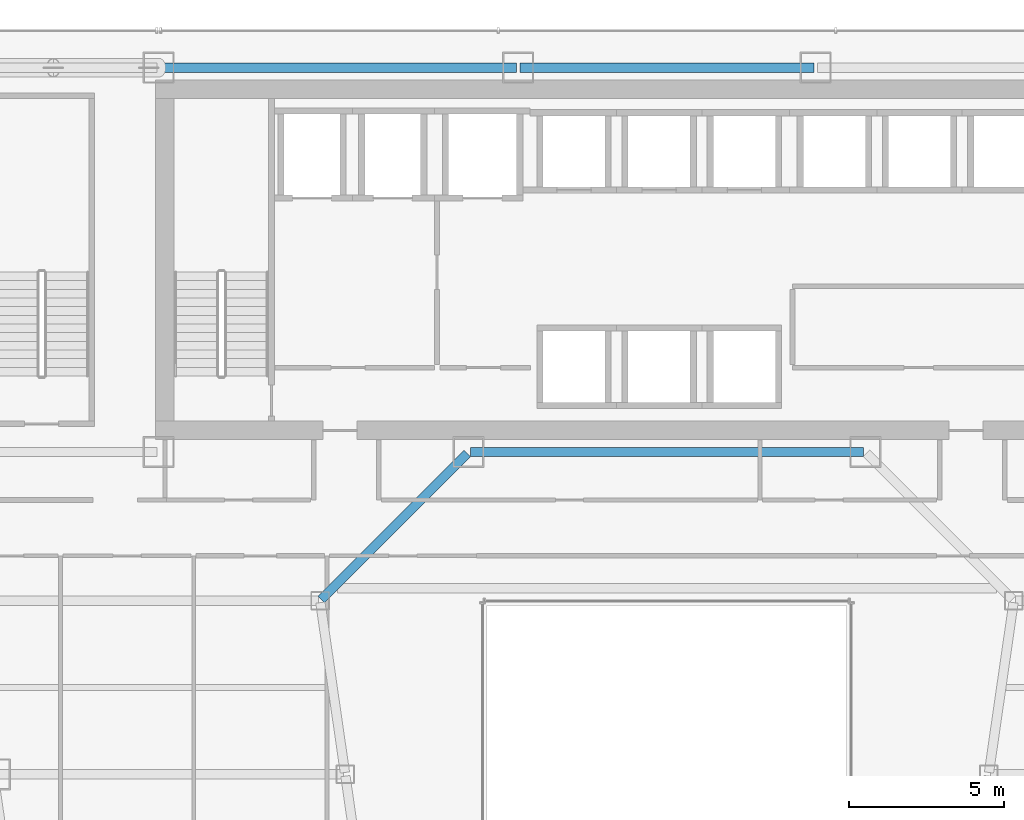
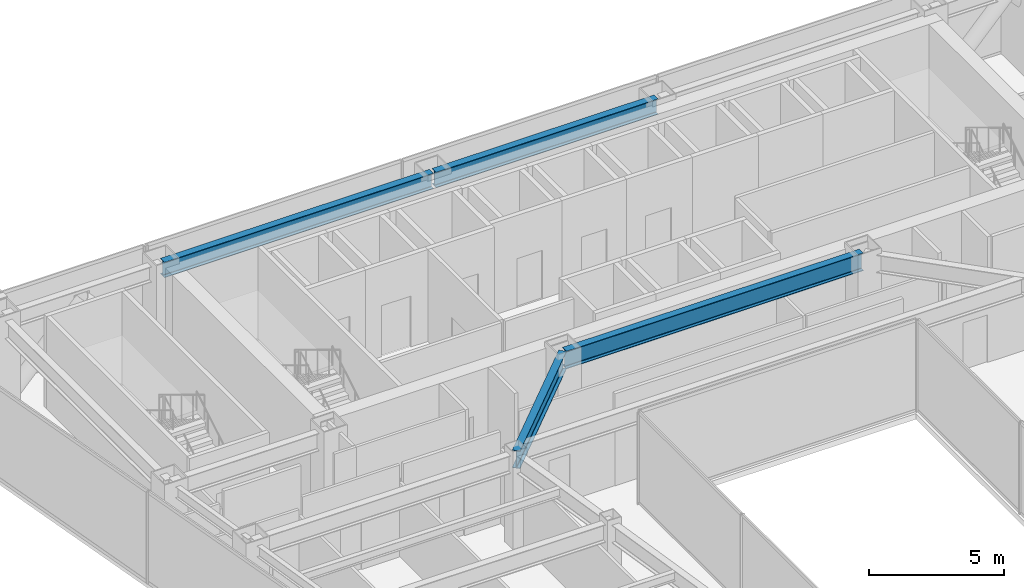
# One storey, part 22 of 37: 4 beams.
"""IFC4 building model written with IfcOpenShell, lengths in metres."""

from ifc_helpers import new_model, si_unit, direction, frame, origin, origin_2d, place, context, subcontext, project, spatial, i_section, extrude, material, material_profile, profile_set, type_object, element, save


model = new_model("IFC4")

# Units and contexts
model_context = context("Model", 3, precision=1e-05, world=origin(), true_north=direction((0.0, 1.0)))
body_context = subcontext(model_context, "Body", "Model", "MODEL_VIEW")
ifc_project = project(units=[si_unit("LENGTHUNIT", "METRE"), si_unit("AREAUNIT", "SQUARE_METRE"), si_unit("VOLUMEUNIT", "CUBIC_METRE"), si_unit("PLANEANGLEUNIT", "RADIAN"), si_unit("MASSUNIT", "GRAM", prefix="KILO")], contexts=[model_context])

# Site, building, storey
site_placement = place(None, origin())
site = spatial("IfcSite", under=ifc_project, at=site_placement, CompositionType="ELEMENT")
building_placement = place(site_placement, origin())
building = spatial("IfcBuilding", under=site, at=building_placement, Name="Saevonmaru Cultural Tower", CompositionType="ELEMENT")
storey_placement = place(building_placement, frame((0.0, 0.0, 114.800048828125)))
storey = spatial("IfcBuildingStorey", under=building, at=storey_placement, Name="L24", CompositionType="ELEMENT", Elevation=114.800048828125)

# Beams
ifc_material_1 = material(Name="Steel SM420", Category="steel")
ifc_material_profile_1 = material_profile(ifc_material_1, i_section(OverallWidth=0.300048828125, OverallDepth=0.800048828125, WebThickness=0.013916015625, FlangeThickness=0.02587890625, FilletRadius=0.028076171875, at=origin_2d()), Name="H-800x300x14x26")
ifc_profile_set_1 = profile_set([ifc_material_profile_1], Name="Steel SM420")
beam_type_1 = type_object("IfcBeamType", Name="BM-G-H800", PredefinedType="BEAM", material=ifc_profile_set_1)
beam_1_placement = place(storey_placement, frame((23.659912109375, 42.39990234375, 3.75), z_axis=(1.0, 0.0, 0.0), x_axis=(0.0, 1.0, 0.0)))
element("IfcBeam", 1, at=beam_1_placement, inside=storey, type_object=beam_type_1, Name="L24 Core South Girder 3", PredefinedType="BEAM", context=body_context, shape_type="SweptSolid", body=[
    extrude(i_section(OverallWidth=0.300048828125, OverallDepth=0.800048828125, WebThickness=0.013916015625, FlangeThickness=0.02587890625, FilletRadius=0.028076171875, at=origin_2d()), origin(), (0.0, 0.0, 1.0), 12.68017578125),
])
beam_2_placement = place(storey_placement, frame((18.850341796875, 37.642578125, 3.75), z_axis=(0.706538566564, 0.707674539572, 0.0), x_axis=(-0.707674539572, 0.706538566564, 0.0)))
element("IfcBeam", 2, at=beam_2_placement, inside=storey, type_object=beam_type_1, Name="L24 West Atrium Girder 5", PredefinedType="BEAM", context=body_context, shape_type="SweptSolid", body=[
    extrude(i_section(OverallWidth=0.300048828125, OverallDepth=0.800048828125, WebThickness=0.013916015625, FlangeThickness=0.02587890625, FilletRadius=0.028076171875, at=origin_2d()), origin(), (0.0, 0.0, 1.0), 6.662353515625),
])
ifc_material_2 = material(Name="Steel SM355", Category="steel")
ifc_material_profile_2 = material_profile(ifc_material_2, i_section(OverallWidth=0.300048828125, OverallDepth=0.699951171875, WebThickness=0.012939453125, FlangeThickness=0.02392578125, FilletRadius=0.02587890625, at=origin_2d()), Name="H-700x300x13x24")
ifc_profile_set_2 = profile_set([ifc_material_profile_2], Name="Steel SM355")
beam_type_2 = type_object("IfcBeamType", Name="BM-SP-H700", PredefinedType="SPANDREL", material=ifc_profile_set_2)
beam_3_placement = place(storey_placement, frame((13.659912109375, 54.800048828125, 3.800048828125), z_axis=(1.0, 0.0, 0.0), x_axis=(0.0, 1.0, 0.0)))
element("IfcBeam", 3, at=beam_3_placement, inside=storey, type_object=beam_type_2, Name="L24 North Spine Girder 2", PredefinedType="SPANDREL", context=body_context, shape_type="SweptSolid", body=[
    extrude(i_section(OverallWidth=0.300048828125, OverallDepth=0.699951171875, WebThickness=0.012939453125, FlangeThickness=0.02392578125, FilletRadius=0.02587890625, at=origin_2d()), origin(), (0.0, 0.0, 1.0), 11.47998046875),
])
beam_4_placement = place(storey_placement, frame((25.260009765625, 54.800048828125, 3.800048828125), z_axis=(1.0, 0.0, 0.0), x_axis=(0.0, 1.0, 0.0)))
element("IfcBeam", 4, at=beam_4_placement, inside=storey, type_object=beam_type_2, Name="L24 North Spine Girder 3", PredefinedType="SPANDREL", context=body_context, shape_type="SweptSolid", body=[
    extrude(i_section(OverallWidth=0.300048828125, OverallDepth=0.699951171875, WebThickness=0.012939453125, FlangeThickness=0.02392578125, FilletRadius=0.02587890625, at=origin_2d()), origin(), (0.0, 0.0, 1.0), 9.47998046875),
])

save(model, "model.ifc")
